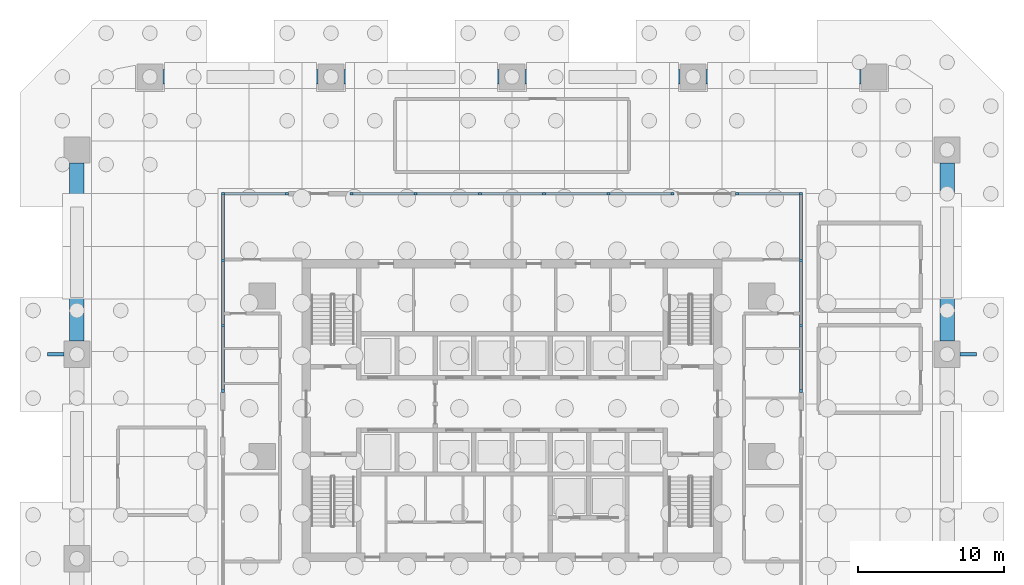
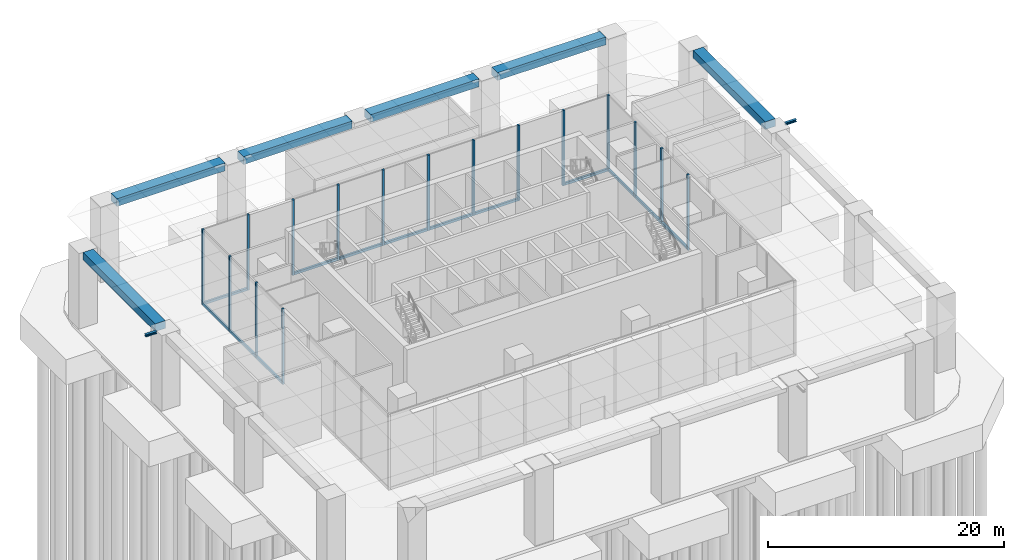
# One storey, part 4 of 18: 29 members, 8 beams, 5 elements without a shape of their own.
"""IFC4 building model written with IfcOpenShell, lengths in metres."""

from ifc_helpers import new_model, si_unit, direction, frame, origin, origin_2d, place, context, subcontext, project, spatial, rectangle, i_section, extrude, material, material_profile, profile_set, type_object, element, aggregate, save


model = new_model("IFC4")

# Units and contexts
model_context = context("Model", 3, precision=1e-05, world=origin(), true_north=direction((0.0, 1.0)))
body_context = subcontext(model_context, "Body", "Model", "MODEL_VIEW")
ifc_project = project(units=[si_unit("LENGTHUNIT", "METRE"), si_unit("AREAUNIT", "SQUARE_METRE"), si_unit("VOLUMEUNIT", "CUBIC_METRE"), si_unit("PLANEANGLEUNIT", "RADIAN"), si_unit("MASSUNIT", "GRAM", prefix="KILO")], contexts=[model_context])

# Site, building, storey
site_placement = place(None, origin())
site = spatial("IfcSite", under=ifc_project, at=site_placement, CompositionType="ELEMENT")
building_placement = place(site_placement, origin())
building = spatial("IfcBuilding", under=site, at=building_placement, Name="Mopane Tessera Tower", CompositionType="ELEMENT")
storey_placement = place(building_placement, origin())
storey = spatial("IfcBuildingStorey", under=building, at=storey_placement, Name="L00", CompositionType="ELEMENT", Elevation=0.0)

# Curtain wall, members
ifc_material_1 = material(Name="Aluminium frame", Category="aluminium")
curtain_wall_type = type_object("IfcCurtainWallType", Name="Stilt pavilion glazed wall", PredefinedType="NOTDEFINED", material=ifc_material_1)
curtain_wall_1_placement = place(storey_placement, origin())
curtain_wall_1 = element("IfcCurtainWall", 1, at=curtain_wall_1_placement, inside=storey, type_object=curtain_wall_type, Name="e:pv:E:4", PredefinedType="NOTDEFINED")
ifc_material_2 = material(Name="Aluminium frame", Category="aluminium")
ifc_material_profile_1 = material_profile(ifc_material_2, rectangle(XDim=0.199951171875, YDim=0.199951171875, at=origin_2d()))
ifc_profile_set_1 = profile_set([ifc_material_profile_1], Name="Aluminium frame")
member_type_1 = type_object("IfcMemberType", Name="Aluminium mullion 200 x 200", PredefinedType="MULLION", material=ifc_profile_set_1)
member_1_placement = place(storey_placement, frame((19.800048828125, 4.485595703125, 0.0), z_axis=(0.0, 0.0, 1.0), x_axis=(0.0, 1.0, 0.0)))
member_1 = element("IfcMember", 2, at=member_1_placement, type_object=member_type_1, Name="e:pv:E:4:mu4", PredefinedType="MULLION", context=body_context, shape_type="SweptSolid", body=[
    extrude(rectangle(XDim=0.199951171875, YDim=0.199951171875, at=origin_2d()), origin(), (0.0, 0.0, 1.0), 7.800048828125),
])
member_2_placement = place(storey_placement, frame((19.800048828125, 8.95703125, 0.0), z_axis=(0.0, 0.0, 1.0), x_axis=(0.0, 1.0, 0.0)))
member_2 = element("IfcMember", 3, at=member_2_placement, type_object=member_type_1, Name="e:pv:E:4:mu5", PredefinedType="MULLION", context=body_context, shape_type="SweptSolid", body=[
    extrude(rectangle(XDim=0.199951171875, YDim=0.199951171875, at=origin_2d()), origin(), (0.0, 0.0, 1.0), 7.800048828125),
])
member_3_placement = place(storey_placement, frame((19.800048828125, 13.428466796875, 0.0), z_axis=(0.0, 0.0, 1.0), x_axis=(0.0, 1.0, 0.0)))
member_3 = element("IfcMember", 4, at=member_3_placement, type_object=member_type_1, Name="e:pv:E:4:mu6", PredefinedType="MULLION", context=body_context, shape_type="SweptSolid", body=[
    extrude(rectangle(XDim=0.199951171875, YDim=0.199951171875, at=origin_2d()), origin(), (0.0, 0.0, 1.0), 7.800048828125),
])

curtain_wall_2_placement = place(storey_placement, origin())
curtain_wall_2 = element("IfcCurtainWall", 5, at=curtain_wall_2_placement, inside=storey, type_object=curtain_wall_type, Name="e:pv:N:0", PredefinedType="NOTDEFINED")
member_4_placement = place(storey_placement, frame((-19.800048828125, 18.0, 0.0), z_axis=(0.0, 0.0, 1.0), x_axis=(1.0, 0.0, 0.0)))
member_4 = element("IfcMember", 6, at=member_4_placement, type_object=member_type_1, Name="e:pv:N:0:mu0", PredefinedType="MULLION", context=body_context, shape_type="SweptSolid", body=[
    extrude(rectangle(XDim=0.199951171875, YDim=0.199951171875, at=origin_2d()), origin(), (0.0, 0.0, 1.0), 7.800048828125),
])
member_5_placement = place(storey_placement, frame((-15.39990234375, 18.0, 0.0), z_axis=(0.0, 0.0, 1.0), x_axis=(1.0, 0.0, 0.0)))
member_5 = element("IfcMember", 7, at=member_5_placement, type_object=member_type_1, Name="e:pv:N:0:mu1", PredefinedType="MULLION", context=body_context, shape_type="SweptSolid", body=[
    extrude(rectangle(XDim=0.199951171875, YDim=0.199951171875, at=origin_2d()), origin(), (0.0, 0.0, 1.0), 7.800048828125),
])

curtain_wall_3_placement = place(storey_placement, origin())
curtain_wall_3 = element("IfcCurtainWall", 8, at=curtain_wall_3_placement, inside=storey, type_object=curtain_wall_type, Name="e:pv:N:2", PredefinedType="NOTDEFINED")
member_6_placement = place(storey_placement, frame((-11.0, 18.0, 0.0), z_axis=(0.0, 0.0, 1.0), x_axis=(1.0, 0.0, 0.0)))
member_6 = element("IfcMember", 9, at=member_6_placement, type_object=member_type_1, Name="e:pv:N:2:mu2", PredefinedType="MULLION", context=body_context, shape_type="SweptSolid", body=[
    extrude(rectangle(XDim=0.199951171875, YDim=0.199951171875, at=origin_2d()), origin(), (0.0, 0.0, 1.0), 7.800048828125),
])
member_7_placement = place(storey_placement, frame((-6.60009765625, 18.0, 0.0), z_axis=(0.0, 0.0, 1.0), x_axis=(1.0, 0.0, 0.0)))
member_7 = element("IfcMember", 10, at=member_7_placement, type_object=member_type_1, Name="e:pv:N:2:mu3", PredefinedType="MULLION", context=body_context, shape_type="SweptSolid", body=[
    extrude(rectangle(XDim=0.199951171875, YDim=0.199951171875, at=origin_2d()), origin(), (0.0, 0.0, 1.0), 7.800048828125),
])
member_8_placement = place(storey_placement, frame((-2.199951171875, 18.0, 0.0), z_axis=(0.0, 0.0, 1.0), x_axis=(1.0, 0.0, 0.0)))
member_8 = element("IfcMember", 11, at=member_8_placement, type_object=member_type_1, Name="e:pv:N:2:mu4", PredefinedType="MULLION", context=body_context, shape_type="SweptSolid", body=[
    extrude(rectangle(XDim=0.199951171875, YDim=0.199951171875, at=origin_2d()), origin(), (0.0, 0.0, 1.0), 7.800048828125),
])
member_9_placement = place(storey_placement, frame((2.199951171875, 18.0, 0.0), z_axis=(0.0, 0.0, 1.0), x_axis=(1.0, 0.0, 0.0)))
member_9 = element("IfcMember", 12, at=member_9_placement, type_object=member_type_1, Name="e:pv:N:2:mu5", PredefinedType="MULLION", context=body_context, shape_type="SweptSolid", body=[
    extrude(rectangle(XDim=0.199951171875, YDim=0.199951171875, at=origin_2d()), origin(), (0.0, 0.0, 1.0), 7.800048828125),
])
member_10_placement = place(storey_placement, frame((6.60009765625, 18.0, 0.0), z_axis=(0.0, 0.0, 1.0), x_axis=(1.0, 0.0, 0.0)))
member_10 = element("IfcMember", 13, at=member_10_placement, type_object=member_type_1, Name="e:pv:N:2:mu6", PredefinedType="MULLION", context=body_context, shape_type="SweptSolid", body=[
    extrude(rectangle(XDim=0.199951171875, YDim=0.199951171875, at=origin_2d()), origin(), (0.0, 0.0, 1.0), 7.800048828125),
])
member_11_placement = place(storey_placement, frame((11.0, 18.0, 0.0), z_axis=(0.0, 0.0, 1.0), x_axis=(1.0, 0.0, 0.0)))
member_11 = element("IfcMember", 14, at=member_11_placement, type_object=member_type_1, Name="e:pv:N:2:mu7", PredefinedType="MULLION", context=body_context, shape_type="SweptSolid", body=[
    extrude(rectangle(XDim=0.199951171875, YDim=0.199951171875, at=origin_2d()), origin(), (0.0, 0.0, 1.0), 7.800048828125),
])

curtain_wall_4_placement = place(storey_placement, origin())
curtain_wall_4 = element("IfcCurtainWall", 15, at=curtain_wall_4_placement, inside=storey, type_object=curtain_wall_type, Name="e:pv:N:8", PredefinedType="NOTDEFINED")
member_12_placement = place(storey_placement, frame((15.39990234375, 18.0, 0.0), z_axis=(0.0, 0.0, 1.0), x_axis=(1.0, 0.0, 0.0)))
member_12 = element("IfcMember", 16, at=member_12_placement, type_object=member_type_1, Name="e:pv:N:8:mu8", PredefinedType="MULLION", context=body_context, shape_type="SweptSolid", body=[
    extrude(rectangle(XDim=0.199951171875, YDim=0.199951171875, at=origin_2d()), origin(), (0.0, 0.0, 1.0), 7.800048828125),
])
member_13_placement = place(storey_placement, frame((19.800048828125, 18.0, 0.0), z_axis=(0.0, 0.0, 1.0), x_axis=(1.0, 0.0, 0.0)))
member_13 = element("IfcMember", 17, at=member_13_placement, type_object=member_type_1, Name="e:pv:N:8:mu9", PredefinedType="MULLION", context=body_context, shape_type="SweptSolid", body=[
    extrude(rectangle(XDim=0.199951171875, YDim=0.199951171875, at=origin_2d()), origin(), (0.0, 0.0, 1.0), 7.800048828125),
])

curtain_wall_5_placement = place(storey_placement, origin())
curtain_wall_5 = element("IfcCurtainWall", 18, at=curtain_wall_5_placement, inside=storey, type_object=curtain_wall_type, Name="e:pv:W:4", PredefinedType="NOTDEFINED")
member_14_placement = place(storey_placement, frame((-19.800048828125, 4.485595703125, 0.0), z_axis=(0.0, 0.0, 1.0), x_axis=(0.0, 1.0, 0.0)))
member_14 = element("IfcMember", 19, at=member_14_placement, type_object=member_type_1, Name="e:pv:W:4:mu4", PredefinedType="MULLION", context=body_context, shape_type="SweptSolid", body=[
    extrude(rectangle(XDim=0.199951171875, YDim=0.199951171875, at=origin_2d()), origin(), (0.0, 0.0, 1.0), 7.800048828125),
])
member_15_placement = place(storey_placement, frame((-19.800048828125, 8.95703125, 0.0), z_axis=(0.0, 0.0, 1.0), x_axis=(0.0, 1.0, 0.0)))
member_15 = element("IfcMember", 20, at=member_15_placement, type_object=member_type_1, Name="e:pv:W:4:mu5", PredefinedType="MULLION", context=body_context, shape_type="SweptSolid", body=[
    extrude(rectangle(XDim=0.199951171875, YDim=0.199951171875, at=origin_2d()), origin(), (0.0, 0.0, 1.0), 7.800048828125),
])
member_16_placement = place(storey_placement, frame((-19.800048828125, 13.428466796875, 0.0), z_axis=(0.0, 0.0, 1.0), x_axis=(0.0, 1.0, 0.0)))
member_16 = element("IfcMember", 21, at=member_16_placement, type_object=member_type_1, Name="e:pv:W:4:mu6", PredefinedType="MULLION", context=body_context, shape_type="SweptSolid", body=[
    extrude(rectangle(XDim=0.199951171875, YDim=0.199951171875, at=origin_2d()), origin(), (0.0, 0.0, 1.0), 7.800048828125),
])

# Member
ifc_material_3 = material(Name="Aluminium frame", Category="aluminium")
ifc_material_profile_2 = material_profile(ifc_material_3, rectangle(XDim=0.199951171875, YDim=0.25, at=origin_2d()))
ifc_profile_set_2 = profile_set([ifc_material_profile_2], Name="Aluminium frame")
member_type_2 = type_object("IfcMemberType", Name="Aluminium transom 200 x 250", PredefinedType="USERDEFINED", material=ifc_profile_set_2)
member_17_placement = place(storey_placement, frame((19.800048828125, 4.585693359375, 0.125), z_axis=(0.0, 1.0, 0.0), x_axis=(-1.0, 0.0, 0.0)))
member_17 = element("IfcMember", 22, at=member_17_placement, type_object=member_type_2, Name="e:pv:E:4:tr4", ObjectType="TRANSOM", PredefinedType="USERDEFINED", context=body_context, shape_type="SweptSolid", body=[
    extrude(rectangle(XDim=0.199951171875, YDim=0.25, at=origin_2d()), origin(), (0.0, 0.0, 1.0), 4.271484375),
])

member_18_placement = place(storey_placement, frame((19.800048828125, 9.05712890625, 0.125), z_axis=(0.0, 1.0, 0.0), x_axis=(-1.0, 0.0, 0.0)))
member_18 = element("IfcMember", 23, at=member_18_placement, type_object=member_type_2, Name="e:pv:E:4:tr5", ObjectType="TRANSOM", PredefinedType="USERDEFINED", context=body_context, shape_type="SweptSolid", body=[
    extrude(rectangle(XDim=0.199951171875, YDim=0.25, at=origin_2d()), origin(), (0.0, 0.0, 1.0), 4.271484375),
])

member_19_placement = place(storey_placement, frame((19.800048828125, 13.528564453125, 0.125), z_axis=(0.0, 1.0, 0.0), x_axis=(-1.0, 0.0, 0.0)))
member_19 = element("IfcMember", 24, at=member_19_placement, type_object=member_type_2, Name="e:pv:E:4:tr6", ObjectType="TRANSOM", PredefinedType="USERDEFINED", context=body_context, shape_type="SweptSolid", body=[
    extrude(rectangle(XDim=0.199951171875, YDim=0.25, at=origin_2d()), origin(), (0.0, 0.0, 1.0), 4.371337890625),
])

aggregate(curtain_wall_1, [member_1, member_2, member_3, member_17, member_18, member_19])

member_20_placement = place(storey_placement, frame((-19.699951171875, 18.0, 0.125), z_axis=(1.0, 0.0, 0.0), x_axis=(0.0, 1.0, 0.0)))
member_20 = element("IfcMember", 25, at=member_20_placement, type_object=member_type_2, Name="e:pv:N:0:tr0", ObjectType="TRANSOM", PredefinedType="USERDEFINED", context=body_context, shape_type="SweptSolid", body=[
    extrude(rectangle(XDim=0.199951171875, YDim=0.25, at=origin_2d()), origin(), (0.0, 0.0, 1.0), 4.199951171875),
])

aggregate(curtain_wall_2, [member_4, member_5, member_20])

member_21_placement = place(storey_placement, frame((-10.89990234375, 18.0, 0.125), z_axis=(1.0, 0.0, 0.0), x_axis=(0.0, 1.0, 0.0)))
member_21 = element("IfcMember", 26, at=member_21_placement, type_object=member_type_2, Name="e:pv:N:2:tr2", ObjectType="TRANSOM", PredefinedType="USERDEFINED", context=body_context, shape_type="SweptSolid", body=[
    extrude(rectangle(XDim=0.199951171875, YDim=0.25, at=origin_2d()), origin(), (0.0, 0.0, 1.0), 4.199951171875),
])

member_22_placement = place(storey_placement, frame((-6.5, 18.0, 0.125), z_axis=(1.0, 0.0, 0.0), x_axis=(0.0, 1.0, 0.0)))
member_22 = element("IfcMember", 27, at=member_22_placement, type_object=member_type_2, Name="e:pv:N:2:tr3", ObjectType="TRANSOM", PredefinedType="USERDEFINED", context=body_context, shape_type="SweptSolid", body=[
    extrude(rectangle(XDim=0.199951171875, YDim=0.25, at=origin_2d()), origin(), (0.0, 0.0, 1.0), 4.199951171875),
])

member_23_placement = place(storey_placement, frame((-2.10009765625, 18.0, 0.125), z_axis=(1.0, 0.0, 0.0), x_axis=(0.0, 1.0, 0.0)))
member_23 = element("IfcMember", 28, at=member_23_placement, type_object=member_type_2, Name="e:pv:N:2:tr4", ObjectType="TRANSOM", PredefinedType="USERDEFINED", context=body_context, shape_type="SweptSolid", body=[
    extrude(rectangle(XDim=0.199951171875, YDim=0.25, at=origin_2d()), origin(), (0.0, 0.0, 1.0), 4.2001953125),
])

member_24_placement = place(storey_placement, frame((2.300048828125, 18.0, 0.125), z_axis=(1.0, 0.0, 0.0), x_axis=(0.0, 1.0, 0.0)))
member_24 = element("IfcMember", 29, at=member_24_placement, type_object=member_type_2, Name="e:pv:N:2:tr5", ObjectType="TRANSOM", PredefinedType="USERDEFINED", context=body_context, shape_type="SweptSolid", body=[
    extrude(rectangle(XDim=0.199951171875, YDim=0.25, at=origin_2d()), origin(), (0.0, 0.0, 1.0), 4.199951171875),
])

member_25_placement = place(storey_placement, frame((6.699951171875, 18.0, 0.125), z_axis=(1.0, 0.0, 0.0), x_axis=(0.0, 1.0, 0.0)))
member_25 = element("IfcMember", 30, at=member_25_placement, type_object=member_type_2, Name="e:pv:N:2:tr6", ObjectType="TRANSOM", PredefinedType="USERDEFINED", context=body_context, shape_type="SweptSolid", body=[
    extrude(rectangle(XDim=0.199951171875, YDim=0.25, at=origin_2d()), origin(), (0.0, 0.0, 1.0), 4.199951171875),
])

aggregate(curtain_wall_3, [member_6, member_7, member_8, member_9, member_10, member_11, member_21, member_22, member_23, member_24, member_25])

member_26_placement = place(storey_placement, frame((15.5, 18.0, 0.125), z_axis=(1.0, 0.0, 0.0), x_axis=(0.0, 1.0, 0.0)))
member_26 = element("IfcMember", 31, at=member_26_placement, type_object=member_type_2, Name="e:pv:N:8:tr8", ObjectType="TRANSOM", PredefinedType="USERDEFINED", context=body_context, shape_type="SweptSolid", body=[
    extrude(rectangle(XDim=0.199951171875, YDim=0.25, at=origin_2d()), origin(), (0.0, 0.0, 1.0), 4.199951171875),
])

aggregate(curtain_wall_4, [member_12, member_13, member_26])

member_27_placement = place(storey_placement, frame((-19.800048828125, 4.585693359375, 0.125), z_axis=(0.0, 1.0, 0.0), x_axis=(-1.0, 0.0, 0.0)))
member_27 = element("IfcMember", 32, at=member_27_placement, type_object=member_type_2, Name="e:pv:W:4:tr4", ObjectType="TRANSOM", PredefinedType="USERDEFINED", context=body_context, shape_type="SweptSolid", body=[
    extrude(rectangle(XDim=0.199951171875, YDim=0.25, at=origin_2d()), origin(), (0.0, 0.0, 1.0), 4.271484375),
])

member_28_placement = place(storey_placement, frame((-19.800048828125, 9.05712890625, 0.125), z_axis=(0.0, 1.0, 0.0), x_axis=(-1.0, 0.0, 0.0)))
member_28 = element("IfcMember", 33, at=member_28_placement, type_object=member_type_2, Name="e:pv:W:4:tr5", ObjectType="TRANSOM", PredefinedType="USERDEFINED", context=body_context, shape_type="SweptSolid", body=[
    extrude(rectangle(XDim=0.199951171875, YDim=0.25, at=origin_2d()), origin(), (0.0, 0.0, 1.0), 4.271484375),
])

member_29_placement = place(storey_placement, frame((-19.800048828125, 13.528564453125, 0.125), z_axis=(0.0, 1.0, 0.0), x_axis=(-1.0, 0.0, 0.0)))
member_29 = element("IfcMember", 34, at=member_29_placement, type_object=member_type_2, Name="e:pv:W:4:tr6", ObjectType="TRANSOM", PredefinedType="USERDEFINED", context=body_context, shape_type="SweptSolid", body=[
    extrude(rectangle(XDim=0.199951171875, YDim=0.25, at=origin_2d()), origin(), (0.0, 0.0, 1.0), 4.371337890625),
])

aggregate(curtain_wall_5, [member_14, member_15, member_16, member_27, member_28, member_29])

# Beams
ifc_material_4 = material(Name="Concrete C60/75", Category="concrete")
ifc_material_profile_3 = material_profile(ifc_material_4, rectangle(XDim=1.0, YDim=0.800048828125, at=origin_2d()))
ifc_profile_set_3 = profile_set([ifc_material_profile_3], Name="Concrete C60/75")
beam_type_1 = type_object("IfcBeamType", Name="Stilt ring beam RC 1000 x 800", PredefinedType="BEAM", material=ifc_profile_set_3)
beam_1_placement = place(storey_placement, frame((29.800048828125, 7.89990234375, 7.39990234375), z_axis=(0.0, 1.0, 0.0), x_axis=(-1.0, 0.0, 0.0)))
element("IfcBeam", 35, at=beam_1_placement, inside=storey, type_object=beam_type_1, Name="Stilt ring beam E2-E3", PredefinedType="BEAM", context=body_context, shape_type="SweptSolid", body=[
    extrude(rectangle(XDim=1.0, YDim=0.800048828125, at=origin_2d()), origin(), (0.0, 0.0, 1.0), 12.2001953125),
])
beam_2_placement = place(storey_placement, frame((13.300048828125, 26.0, 7.39990234375), z_axis=(1.0, 0.0, 0.0), x_axis=(0.0, 1.0, 0.0)))
element("IfcBeam", 36, at=beam_2_placement, inside=storey, type_object=beam_type_1, Name="Stilt ring beam N0-N1", PredefinedType="BEAM", context=body_context, shape_type="SweptSolid", body=[
    extrude(rectangle(XDim=1.0, YDim=0.800048828125, at=origin_2d()), origin(), (0.0, 0.0, 1.0), 10.599853515625),
])
for number, where, z_axis, x_axis, name in (
    (37, (0.89990234375, 26.0, 7.39990234375), (1.0, 0.0, 0.0), (0.0, 1.0, 0.0), "Stilt ring beam N1-N2"),
    (38, (-11.5, 26.0, 7.39990234375), (1.0, 0.0, 0.0), (0.0, 1.0, 0.0), "Stilt ring beam N2-N3"),
):
    element("IfcBeam", number, at=place(storey_placement, frame(where, z_axis=z_axis, x_axis=x_axis)), inside=storey, type_object=beam_type_1, Name=name, PredefinedType="BEAM", context=body_context, shape_type="SweptSolid", body=[
        extrude(rectangle(XDim=1.0, YDim=0.800048828125, at=origin_2d()), origin(), (0.0, 0.0, 1.0), 10.60009765625),
    ])
beam_3_placement = place(storey_placement, frame((-23.89990234375, 26.0, 7.39990234375), z_axis=(1.0, 0.0, 0.0), x_axis=(0.0, 1.0, 0.0)))
element("IfcBeam", 39, at=beam_3_placement, inside=storey, type_object=beam_type_1, Name="Stilt ring beam N3-N4", PredefinedType="BEAM", context=body_context, shape_type="SweptSolid", body=[
    extrude(rectangle(XDim=1.0, YDim=0.800048828125, at=origin_2d()), origin(), (0.0, 0.0, 1.0), 10.599853515625),
])
beam_4_placement = place(storey_placement, frame((-29.800048828125, 7.89990234375, 7.39990234375), z_axis=(0.0, 1.0, 0.0), x_axis=(-1.0, 0.0, 0.0)))
element("IfcBeam", 40, at=beam_4_placement, inside=storey, type_object=beam_type_1, Name="Stilt ring beam W0-W1", PredefinedType="BEAM", context=body_context, shape_type="SweptSolid", body=[
    extrude(rectangle(XDim=1.0, YDim=0.800048828125, at=origin_2d()), origin(), (0.0, 0.0, 1.0), 12.2001953125),
])
ifc_material_5 = material(Name="Structural steel S460", Category="steel")
ifc_material_profile_4 = material_profile(ifc_material_5, i_section(OverallWidth=0.239990234375, OverallDepth=0.239990234375, WebThickness=0.010009765625, FlangeThickness=0.01708984375, FilletRadius=0.02099609375, at=origin_2d()))
ifc_profile_set_4 = profile_set([ifc_material_profile_4], Name="Structural steel S460")
beam_type_2 = type_object("IfcBeamType", Name="Terrace spandrel beam HE 240 B", PredefinedType="SPANDREL", material=ifc_profile_set_4)
for number, where, z_axis, x_axis, name in (
    (41, (30.703125, 7.0, 7.679931640625), (1.0, 0.0, 0.0), (0.0, 1.0, 0.0), "Terrace spandrel beam N2 L01"),
    (42, (-30.703125, 7.0, 7.679931640625), (-1.0, 0.0, 0.0), (0.0, -1.0, 0.0), "Terrace spandrel beam N3 L01"),
):
    element("IfcBeam", number, at=place(storey_placement, frame(where, z_axis=z_axis, x_axis=x_axis)), inside=storey, type_object=beam_type_2, Name=name, PredefinedType="SPANDREL", context=body_context, shape_type="SweptSolid", body=[
        extrude(i_section(OverallWidth=0.239990234375, OverallDepth=0.239990234375, WebThickness=0.010009765625, FlangeThickness=0.01708984375, FilletRadius=0.02099609375, at=origin_2d()), origin(), (0.0, 0.0, 1.0), 1.099853515625),
    ])

save(model, "model.ifc")
